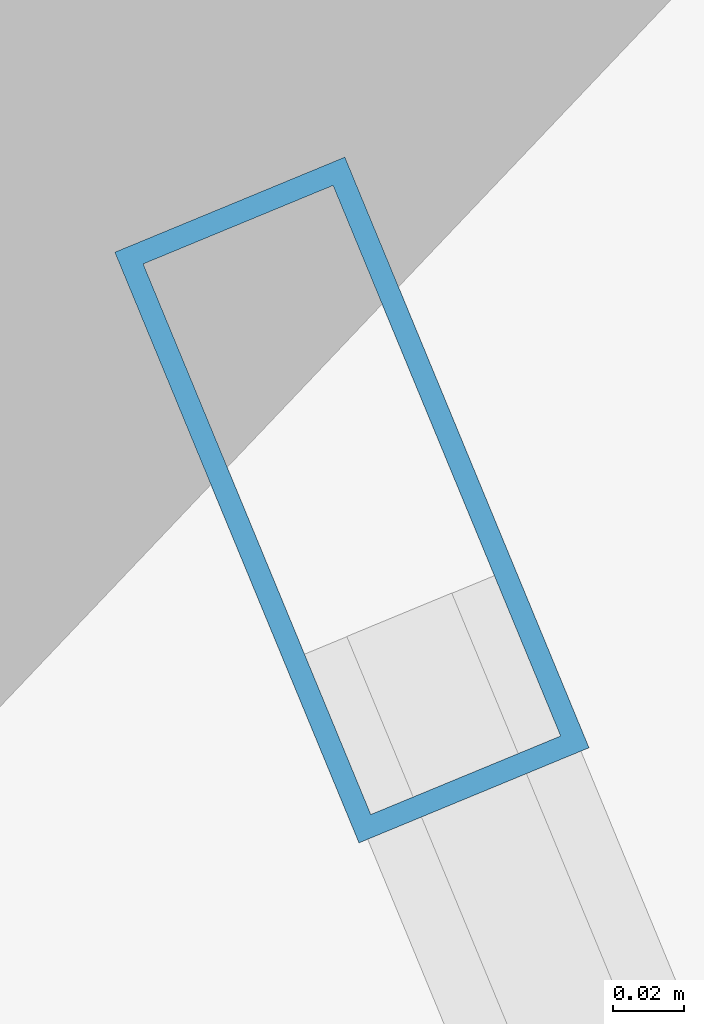
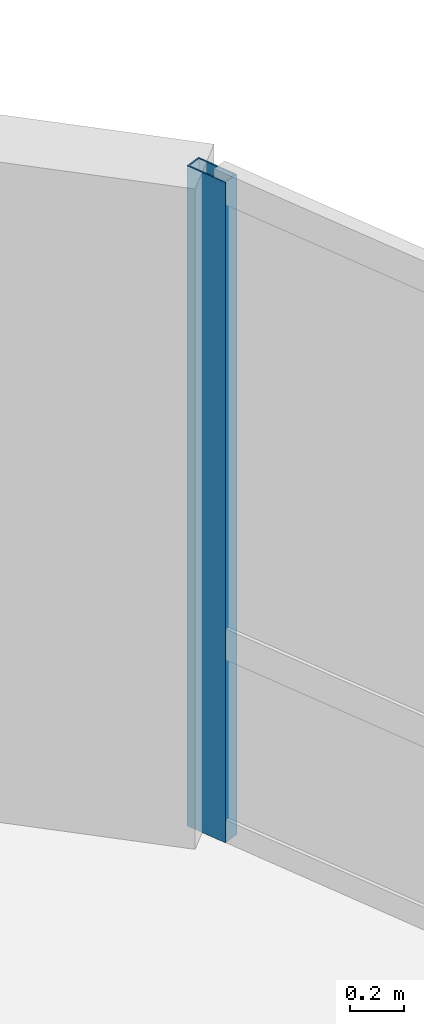
# One storey, part 10 of 17: 1 member, 1 element without a shape of its own.
"""IFC4 building model written with IfcOpenShell, lengths in metres."""

from ifc_helpers import new_model, si_unit, direction, frame, origin, origin_2d, place, context, subcontext, project, spatial, hollow_rectangle, extrude, material, layer, layer_set, material_profile, profile_set, type_object, element, aggregate, save


model = new_model("IFC4")

# Units and contexts
model_context = context("Model", 3, precision=1e-05, world=origin(), true_north=direction((0.0, 1.0)))
body_context = subcontext(model_context, "Body", "Model", "MODEL_VIEW")
ifc_project = project(units=[si_unit("LENGTHUNIT", "METRE"), si_unit("AREAUNIT", "SQUARE_METRE"), si_unit("VOLUMEUNIT", "CUBIC_METRE"), si_unit("PLANEANGLEUNIT", "RADIAN"), si_unit("MASSUNIT", "GRAM", prefix="KILO"), si_unit("THERMODYNAMICTEMPERATUREUNIT", "KELVIN"), si_unit("POWERUNIT", "WATT")], contexts=[model_context])

# Site, building, storey
site_placement = place(None, origin())
site = spatial("IfcSite", under=ifc_project, at=site_placement, CompositionType="ELEMENT")
building_placement = place(site_placement, origin())
building = spatial("IfcBuilding", under=site, at=building_placement, Name="Ocrelia Relay Tower", CompositionType="ELEMENT")
storey_placement = place(building_placement, frame((0.0, 0.0, 72.0)))
storey = spatial("IfcBuildingStorey", under=building, at=storey_placement, Name="L16", CompositionType="ELEMENT", Elevation=72.0)

# Curtain wall, member
ifc_material_1 = material(Name="Aluminium and solar-control low-E glass", Category="aluminium")
ifc_layer = layer(ifc_material_1, 0.179931640625, Name="Aluminium and solar-control low-E glass")
ifc_layer_set = layer_set([ifc_layer], Name="Aluminium and solar-control low-E glass")
curtain_wall_type = type_object("IfcCurtainWallType", Name="CW-SYS-Z1-DATA", PredefinedType="NOTDEFINED", material=ifc_layer_set)
curtain_wall_placement = place(storey_placement, origin())
curtain_wall = element("IfcCurtainWall", 1, at=curtain_wall_placement, inside=storey, type_object=curtain_wall_type, Name="L16 Elliptical Tower Curtain Wall Bay 01", PredefinedType="NOTDEFINED")
ifc_material_2 = material(Name="Anodised bronze aluminium", Category="aluminium")
ifc_material_profile = material_profile(ifc_material_2, hollow_rectangle(XDim=0.070068359375, YDim=0.179931640625, WallThickness=0.006103515625, at=origin_2d()), Name="CW-MUL-180x70")
ifc_profile_set = profile_set([ifc_material_profile], Name="Anodised bronze aluminium")
member_type = type_object("IfcMemberType", Name="CW-SYS-Z1-DATA-MUL", PredefinedType="MULLION", material=ifc_profile_set)
member_placement = place(storey_placement, frame((58.576171875, 37.46435546875, 0.0), z_axis=(0.0, 0.0, 1.0), x_axis=(-0.924146666429, -0.382037876302, 0.0)))
member = element("IfcMember", 2, at=member_placement, type_object=member_type, Name="CW-Z1 mullion 3", PredefinedType="MULLION", context=body_context, shape_type="SweptSolid", body=[
    extrude(hollow_rectangle(XDim=0.070068359375, YDim=0.179931640625, WallThickness=0.006103515625, at=origin_2d()), origin(), (0.0, 0.0, 1.0), 3.0),
])
aggregate(curtain_wall, [member])

save(model, "model.ifc")
